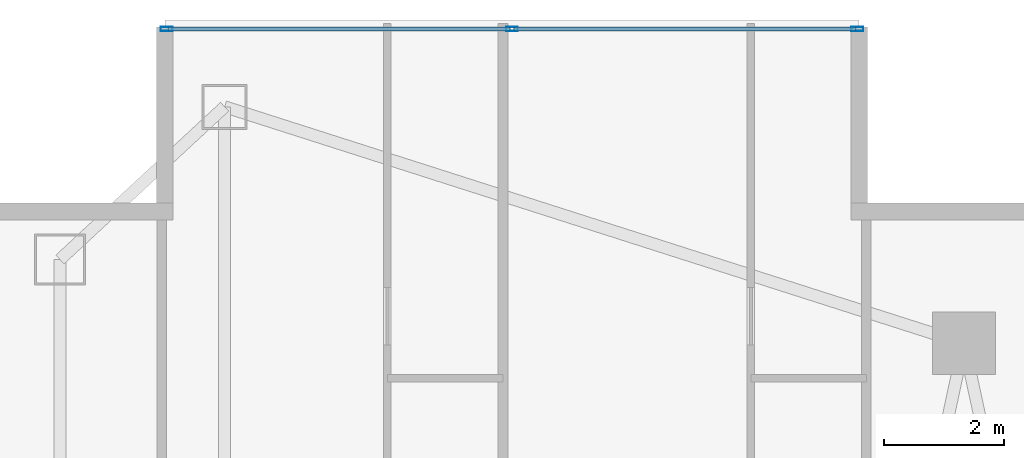
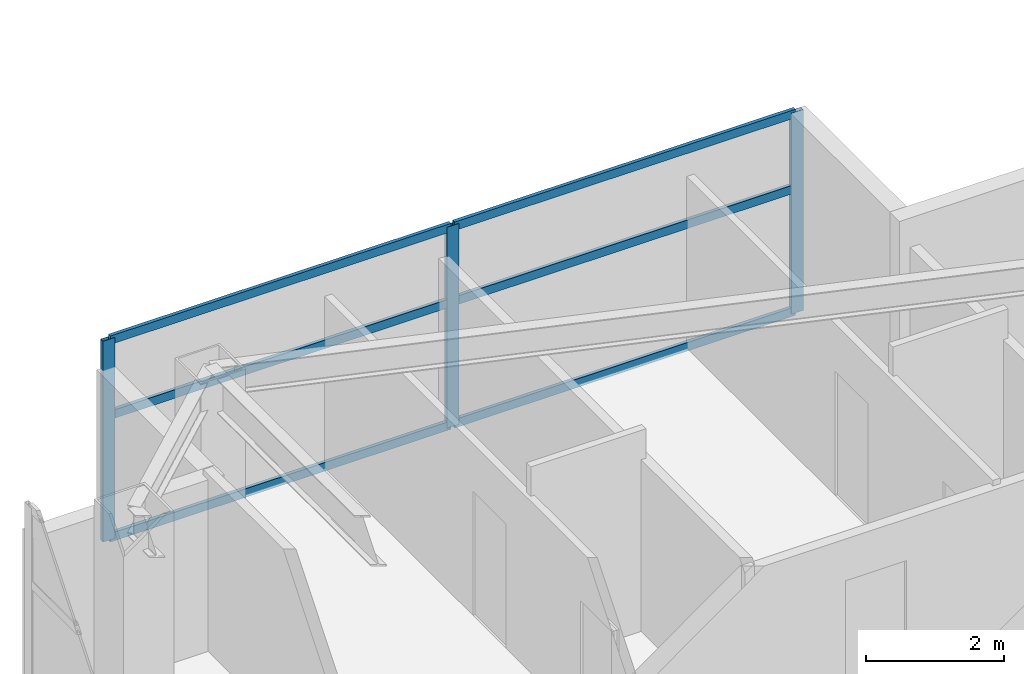
# One storey, part 19 of 28: 9 members, 1 element without a shape of its own.
"""IFC4 building model written with IfcOpenShell, lengths in metres."""

from ifc_helpers import new_model, si_unit, direction, frame, origin, origin_2d, place, context, subcontext, project, spatial, hollow_rectangle, extrude, material, layer, layer_set, material_profile, profile_set, type_object, element, aggregate, save


model = new_model("IFC4")

# Units and contexts
model_context = context("Model", 3, precision=1e-05, world=origin(), true_north=direction((0.0, 1.0)))
body_context = subcontext(model_context, "Body", "Model", "MODEL_VIEW")
ifc_project = project(units=[si_unit("LENGTHUNIT", "METRE"), si_unit("AREAUNIT", "SQUARE_METRE"), si_unit("VOLUMEUNIT", "CUBIC_METRE"), si_unit("PLANEANGLEUNIT", "RADIAN"), si_unit("MASSUNIT", "GRAM", prefix="KILO")], contexts=[model_context])

# Site, building, storey
site_placement = place(None, origin())
site = spatial("IfcSite", under=ifc_project, at=site_placement, CompositionType="ELEMENT")
building_placement = place(site_placement, origin())
building = spatial("IfcBuilding", under=site, at=building_placement, Name="Calvorn Quay Hotel", CompositionType="ELEMENT")
storey_placement = place(building_placement, frame((0.0, 0.0, 156.10009765625)))
storey = spatial("IfcBuildingStorey", under=building, at=storey_placement, Name="L38", CompositionType="ELEMENT", Elevation=156.10009765625)

# Curtain wall, members
ifc_material_1 = material(Name="Pale Anodised Aluminium and Low-E Glass", Category="aluminium")
ifc_layer = layer(ifc_material_1, 0.219970703125)
ifc_layer_set = layer_set([ifc_layer], Name="CW-SYS-Z2")
curtain_wall_type = type_object("IfcCurtainWallType", Name="CW-SYS-Z2", PredefinedType="NOTDEFINED", material=ifc_layer_set)
curtain_wall_placement = place(storey_placement, origin())
curtain_wall = element("IfcCurtainWall", 1, at=curtain_wall_placement, inside=storey, type_object=curtain_wall_type, Name="Inner Court Curtain Wall L38-N1", PredefinedType="NOTDEFINED")
ifc_material_2 = material(Name="Pale Anodised Aluminium 6063-T6", Category="aluminium")
ifc_material_profile_1 = material_profile(ifc_material_2, hollow_rectangle(XDim=0.070068359375, YDim=0.199951171875, WallThickness=0.00390625, at=origin_2d()), Name="ALU-M200x70x4")
ifc_profile_set_1 = profile_set([ifc_material_profile_1], Name="Pale Anodised Aluminium 6063-T6")
member_type_1 = type_object("IfcMemberType", Name="CW-SYS-Z2-MUL", PredefinedType="MULLION", material=ifc_profile_set_1)
member_1_placement = place(storey_placement, frame((14.77001953125, 50.85009765625, 0.0), z_axis=(0.0, 0.0, 1.0), x_axis=(0.0, -1.0, 0.0)))
member_1 = element("IfcMember", 2, at=member_1_placement, type_object=member_type_1, Name="CW-L38-N1 mullion 1", PredefinedType="MULLION", context=body_context, shape_type="SweptSolid", body=[
    extrude(hollow_rectangle(XDim=0.070068359375, YDim=0.199951171875, WallThickness=0.00390625, at=origin_2d()), origin(), (0.0, 0.0, 1.0), 3.559814453125),
])
member_2_placement = place(storey_placement, frame((9.0, 50.85009765625, 0.0), z_axis=(0.0, 0.0, 1.0), x_axis=(0.0, -1.0, 0.0)))
member_2 = element("IfcMember", 3, at=member_2_placement, type_object=member_type_1, Name="CW-L38-N1 mullion 2", PredefinedType="MULLION", context=body_context, shape_type="SweptSolid", body=[
    extrude(hollow_rectangle(XDim=0.070068359375, YDim=0.199951171875, WallThickness=0.00390625, at=origin_2d()), origin(), (0.0, 0.0, 1.0), 3.559814453125),
])
member_3_placement = place(storey_placement, frame((3.22998046875, 50.85009765625, 0.0), z_axis=(0.0, 0.0, 1.0), x_axis=(0.0, -1.0, 0.0)))
member_3 = element("IfcMember", 4, at=member_3_placement, type_object=member_type_1, Name="CW-L38-N1 mullion 3", PredefinedType="MULLION", context=body_context, shape_type="SweptSolid", body=[
    extrude(hollow_rectangle(XDim=0.070068359375, YDim=0.199951171875, WallThickness=0.00390625, at=origin_2d()), origin(), (0.0, 0.0, 1.0), 3.559814453125),
])
ifc_material_3 = material(Name="Pale Anodised Aluminium 6063-T6", Category="aluminium")
ifc_material_profile_2 = material_profile(ifc_material_3, hollow_rectangle(XDim=0.06005859375, YDim=0.14990234375, WallThickness=0.00341796875, at=origin_2d()), Name="ALU-T150x60x3.5")
ifc_profile_set_2 = profile_set([ifc_material_profile_2], Name="Pale Anodised Aluminium 6063-T6")
member_type_2 = type_object("IfcMemberType", Name="CW-SYS-Z2-TRN", PredefinedType="USERDEFINED", material=ifc_profile_set_2)
member_4_placement = place(storey_placement, frame((14.739990234375, 50.85009765625, 0.02978515625), z_axis=(-1.0, 0.0, 0.0), x_axis=(0.0, -1.0, 0.0)))
member_4 = element("IfcMember", 5, at=member_4_placement, type_object=member_type_2, Name="CW-L38-N1 transom 1.1", ObjectType="TRANSOM", PredefinedType="USERDEFINED", context=body_context, shape_type="SweptSolid", body=[
    extrude(hollow_rectangle(XDim=0.06005859375, YDim=0.14990234375, WallThickness=0.00341796875, at=origin_2d()), origin(), (0.0, 0.0, 1.0), 5.7099609375),
])
member_5_placement = place(storey_placement, frame((14.739990234375, 50.85009765625, 2.199951171875), z_axis=(-1.0, 0.0, 0.0), x_axis=(0.0, -1.0, 0.0)))
member_5 = element("IfcMember", 6, at=member_5_placement, type_object=member_type_2, Name="CW-L38-N1 transom 1.2", ObjectType="TRANSOM", PredefinedType="USERDEFINED", context=body_context, shape_type="SweptSolid", body=[
    extrude(hollow_rectangle(XDim=0.06005859375, YDim=0.14990234375, WallThickness=0.00341796875, at=origin_2d()), origin(), (0.0, 0.0, 1.0), 5.7099609375),
])
member_6_placement = place(storey_placement, frame((14.739990234375, 50.85009765625, 3.52978515625), z_axis=(-1.0, 0.0, 0.0), x_axis=(0.0, -1.0, 0.0)))
member_6 = element("IfcMember", 7, at=member_6_placement, type_object=member_type_2, Name="CW-L38-N1 transom 1.3", ObjectType="TRANSOM", PredefinedType="USERDEFINED", context=body_context, shape_type="SweptSolid", body=[
    extrude(hollow_rectangle(XDim=0.06005859375, YDim=0.14990234375, WallThickness=0.00341796875, at=origin_2d()), origin(), (0.0, 0.0, 1.0), 5.7099609375),
])
member_7_placement = place(storey_placement, frame((8.969970703125, 50.85009765625, 0.02978515625), z_axis=(-1.0, 0.0, 0.0), x_axis=(0.0, -1.0, 0.0)))
member_7 = element("IfcMember", 8, at=member_7_placement, type_object=member_type_2, Name="CW-L38-N1 transom 2.1", ObjectType="TRANSOM", PredefinedType="USERDEFINED", context=body_context, shape_type="SweptSolid", body=[
    extrude(hollow_rectangle(XDim=0.06005859375, YDim=0.14990234375, WallThickness=0.00341796875, at=origin_2d()), origin(), (0.0, 0.0, 1.0), 5.7099609375),
])
member_8_placement = place(storey_placement, frame((8.969970703125, 50.85009765625, 2.199951171875), z_axis=(-1.0, 0.0, 0.0), x_axis=(0.0, -1.0, 0.0)))
member_8 = element("IfcMember", 9, at=member_8_placement, type_object=member_type_2, Name="CW-L38-N1 transom 2.2", ObjectType="TRANSOM", PredefinedType="USERDEFINED", context=body_context, shape_type="SweptSolid", body=[
    extrude(hollow_rectangle(XDim=0.06005859375, YDim=0.14990234375, WallThickness=0.00341796875, at=origin_2d()), origin(), (0.0, 0.0, 1.0), 5.7099609375),
])
member_9_placement = place(storey_placement, frame((8.969970703125, 50.85009765625, 3.52978515625), z_axis=(-1.0, 0.0, 0.0), x_axis=(0.0, -1.0, 0.0)))
member_9 = element("IfcMember", 10, at=member_9_placement, type_object=member_type_2, Name="CW-L38-N1 transom 2.3", ObjectType="TRANSOM", PredefinedType="USERDEFINED", context=body_context, shape_type="SweptSolid", body=[
    extrude(hollow_rectangle(XDim=0.06005859375, YDim=0.14990234375, WallThickness=0.00341796875, at=origin_2d()), origin(), (0.0, 0.0, 1.0), 5.7099609375),
])
aggregate(curtain_wall, [member_1, member_2, member_3, member_4, member_5, member_6, member_7, member_8, member_9])

save(model, "model.ifc")
